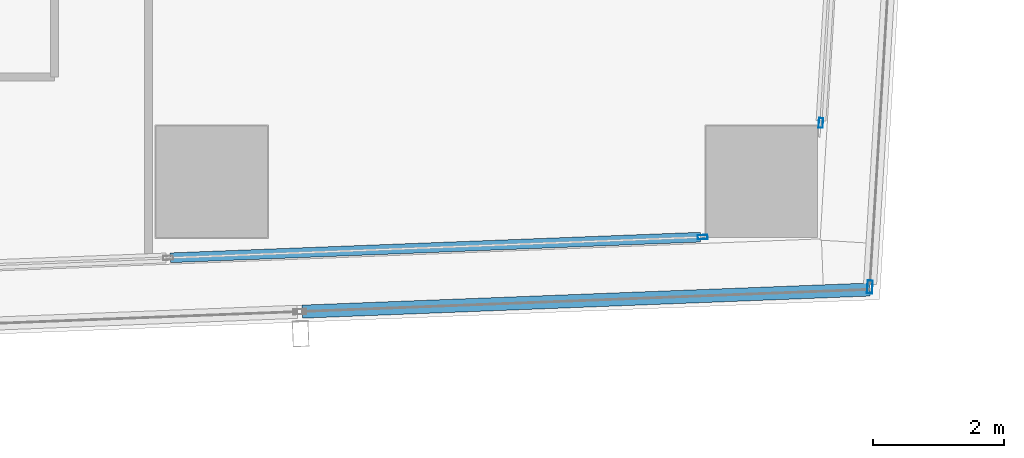
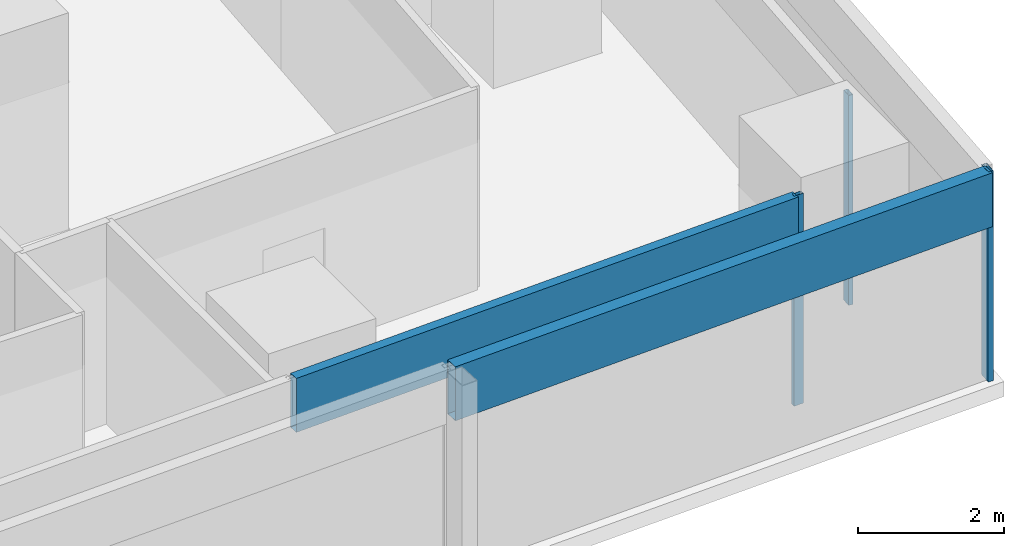
# One storey, part 12 of 40: 5 members, 4 elements without a shape of their own.
"""IFC4 building model written with IfcOpenShell, lengths in metres."""

from ifc_helpers import new_model, si_unit, direction, frame, origin, origin_2d, place, context, subcontext, project, spatial, hollow_rectangle, extrude, material, material_profile, profile_set, type_object, element, aggregate, save


model = new_model("IFC4")

# Units and contexts
model_context = context("Model", 3, precision=1e-05, world=origin(), true_north=direction((0.0, 1.0)))
body_context = subcontext(model_context, "Body", "Model", "MODEL_VIEW")
ifc_project = project(units=[si_unit("LENGTHUNIT", "METRE"), si_unit("AREAUNIT", "SQUARE_METRE"), si_unit("VOLUMEUNIT", "CUBIC_METRE"), si_unit("PLANEANGLEUNIT", "RADIAN"), si_unit("MASSUNIT", "GRAM", prefix="KILO")], contexts=[model_context])

# Site, building, storey
site_placement = place(None, origin())
site = spatial("IfcSite", under=ifc_project, at=site_placement, CompositionType="ELEMENT")
building_placement = place(site_placement, origin())
building = spatial("IfcBuilding", under=site, at=building_placement, Name="Rekha Terrace Tower", CompositionType="ELEMENT")
storey_placement = place(building_placement, frame((0.0, 0.0, 102.800048828125)))
storey = spatial("IfcBuildingStorey", under=building, at=storey_placement, Name="L25", CompositionType="ELEMENT", Elevation=102.800048828125)

# Curtain wall, member
ifc_material_1 = material(Name="Aluminium framing", Category="aluminium")
curtain_wall_type_1 = type_object("IfcCurtainWallType", Name="CW1 double skin inner glazing", PredefinedType="USERDEFINED", material=ifc_material_1)
curtain_wall_1_placement = place(storey_placement, origin())
curtain_wall_1 = element("IfcCurtainWall", 1, at=curtain_wall_1_placement, inside=storey, type_object=curtain_wall_type_1, Name="CW1 double skin inner glazing", ObjectType="DOUBLE SKIN INNER GLAZING", PredefinedType="USERDEFINED")
ifc_material_2 = material(Name="Aluminium mullion section", Category="aluminium")
ifc_material_profile_1 = material_profile(ifc_material_2, hollow_rectangle(XDim=0.06494140625, YDim=0.14990234375, WallThickness=0.00390625, at=origin_2d()), Name="AL RHS 65x150")
ifc_profile_set_1 = profile_set([ifc_material_profile_1], Name="Aluminium mullion section")
member_type_1 = type_object("IfcMemberType", Name="CW1 mullion RHS 65 x 150", PredefinedType="MULLION", material=ifc_profile_set_1)
member_1_placement = place(storey_placement, frame((66.29736328125, 15.95556640625, 0.0), z_axis=(0.0, 0.0, 1.0), x_axis=(-0.038889971345, 0.999243498917, 0.0)))
member_1 = element("IfcMember", 2, at=member_1_placement, type_object=member_type_1, Name="CW1 mullion 6", PredefinedType="MULLION", context=body_context, shape_type="SweptSolid", body=[
    extrude(hollow_rectangle(XDim=0.06494140625, YDim=0.14990234375, WallThickness=0.00390625, at=origin_2d()), origin(), (0.0, 0.0, 1.0), 3.5),
])

curtain_wall_2_placement = place(storey_placement, origin())
curtain_wall_2 = element("IfcCurtainWall", 3, at=curtain_wall_2_placement, inside=storey, type_object=curtain_wall_type_1, Name="CW1 double skin inner glazing", ObjectType="DOUBLE SKIN INNER GLAZING", PredefinedType="USERDEFINED")
member_2_placement = place(storey_placement, frame((68.103515625, 17.69921875, 0.0), z_axis=(0.0, 0.0, 1.0), x_axis=(-0.998127987024, 0.061159803131, 0.0)))
member_2 = element("IfcMember", 4, at=member_2_placement, type_object=member_type_1, Name="CW1 mullion 1", PredefinedType="MULLION", context=body_context, shape_type="SweptSolid", body=[
    extrude(hollow_rectangle(XDim=0.06494140625, YDim=0.14990234375, WallThickness=0.00390625, at=origin_2d()), origin(), (0.0, 0.0, 1.0), 3.5),
])
aggregate(curtain_wall_2, [member_2])

# Member
ifc_material_3 = material(Name="Insulated aluminium spandrel box", Category="aluminium")
ifc_material_profile_2 = material_profile(ifc_material_3, hollow_rectangle(XDim=0.14990234375, YDim=0.89990234375, WallThickness=0.0029296875, at=origin_2d()), Name="AL SPANDREL BOX 150x900")
ifc_profile_set_2 = profile_set([ifc_material_profile_2], Name="Insulated aluminium spandrel box")
member_type_2 = type_object("IfcMemberType", Name="CW1 spandrel transom 150 x 900", PredefinedType="USERDEFINED", material=ifc_profile_set_2)
member_3_placement = place(storey_placement, frame((58.165771484375, 15.63916015625, 3.050048828125), z_axis=(0.999243585207, 0.038887754153, 0.0), x_axis=(-0.038887754153, 0.999243585207, 0.0)))
member_3 = element("IfcMember", 5, at=member_3_placement, type_object=member_type_2, Name="CW1 spandrel transom 5", ObjectType="TRANSOM", PredefinedType="USERDEFINED", context=body_context, shape_type="SweptSolid", body=[
    extrude(hollow_rectangle(XDim=0.14990234375, YDim=0.89990234375, WallThickness=0.0029296875, at=origin_2d()), origin(), (0.0, 0.0, 1.0), 8.10498046875),
])

aggregate(curtain_wall_1, [member_1, member_3])

# Curtain wall, member
curtain_wall_type_2 = type_object("IfcCurtainWallType", Name="CW2 double skin outer glazing", PredefinedType="USERDEFINED", material=ifc_material_1)
curtain_wall_3_placement = place(storey_placement, origin())
curtain_wall_3 = element("IfcCurtainWall", 6, at=curtain_wall_3_placement, inside=storey, type_object=curtain_wall_type_2, Name="CW2 double skin outer glazing", ObjectType="DOUBLE SKIN OUTER GLAZING", PredefinedType="USERDEFINED")
ifc_material_profile_3 = material_profile(ifc_material_2, hollow_rectangle(XDim=0.080078125, YDim=0.199951171875, WallThickness=0.00390625, at=origin_2d()), Name="AL RHS 80x200")
ifc_profile_set_3 = profile_set([ifc_material_profile_3], Name="Aluminium mullion section")
member_type_3 = type_object("IfcMemberType", Name="CW2 mullion RHS 80 x 200", PredefinedType="MULLION", material=ifc_profile_set_3)
member_4_placement = place(storey_placement, frame((68.8515625, 15.194091796875, 0.0), z_axis=(0.0, 0.0, 1.0), x_axis=(-0.998127987024, 0.061159803131, 0.0)))
member_4 = element("IfcMember", 7, at=member_4_placement, type_object=member_type_3, Name="CW2 mullion 1", PredefinedType="MULLION", context=body_context, shape_type="SweptSolid", body=[
    extrude(hollow_rectangle(XDim=0.080078125, YDim=0.199951171875, WallThickness=0.00390625, at=origin_2d()), origin(), (0.0, 0.0, 1.0), 3.5),
])
aggregate(curtain_wall_3, [member_4])

curtain_wall_4_placement = place(storey_placement, origin())
curtain_wall_4 = element("IfcCurtainWall", 8, at=curtain_wall_4_placement, inside=storey, type_object=curtain_wall_type_2, Name="CW2 double skin outer glazing", ObjectType="DOUBLE SKIN OUTER GLAZING", PredefinedType="USERDEFINED")
ifc_material_profile_4 = material_profile(ifc_material_3, hollow_rectangle(XDim=0.199951171875, YDim=0.89990234375, WallThickness=0.0029296875, at=origin_2d()), Name="AL SPANDREL BOX 200x900")
ifc_profile_set_4 = profile_set([ifc_material_profile_4], Name="Insulated aluminium spandrel box")
member_type_4 = type_object("IfcMemberType", Name="CW2 spandrel transom 200 x 900", PredefinedType="USERDEFINED", material=ifc_profile_set_4)
member_5_placement = place(storey_placement, frame((60.18408203125, 14.81689453125, 3.050048828125), z_axis=(0.99924276334, 0.038908866757, 0.0), x_axis=(-0.038908866757, 0.99924276334, 0.0)))
member_5 = element("IfcMember", 9, at=member_5_placement, type_object=member_type_4, Name="CW2 spandrel transom 5", ObjectType="TRANSOM", PredefinedType="USERDEFINED", context=body_context, shape_type="SweptSolid", body=[
    extrude(hollow_rectangle(XDim=0.199951171875, YDim=0.89990234375, WallThickness=0.0029296875, at=origin_2d()), origin(), (0.0, 0.0, 1.0), 8.671630859375),
])
aggregate(curtain_wall_4, [member_5])

save(model, "model.ifc")
